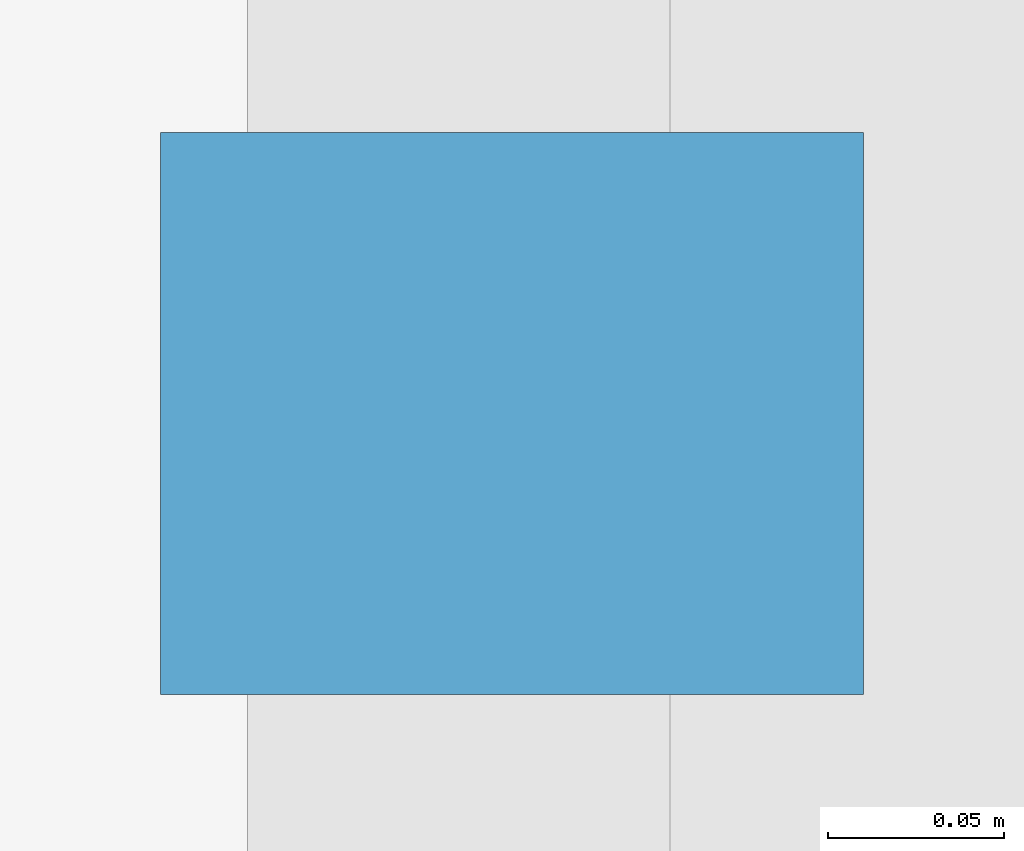
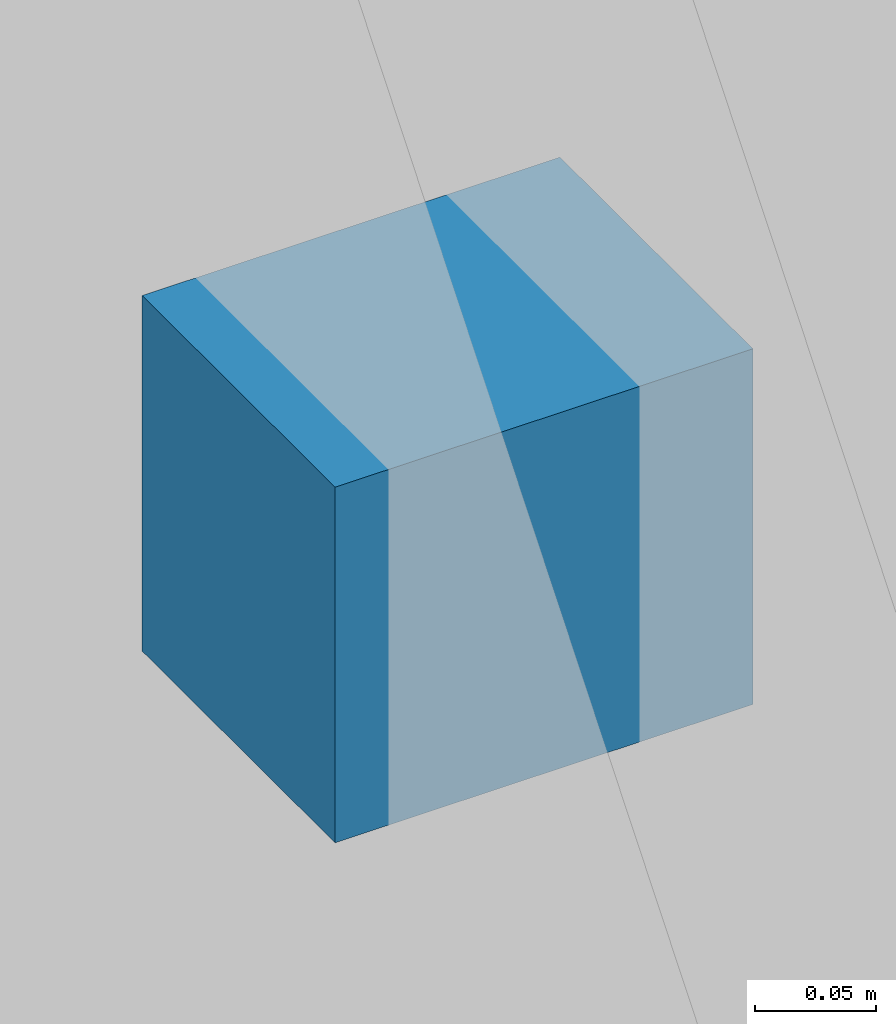
# One storey, part 12 of 17: 1 discrete accessory.
"""IFC4 building model written with IfcOpenShell, lengths in metres."""

from ifc_helpers import new_model, si_unit, direction, frame, origin, origin_2d, place, context, subcontext, project, spatial, rectangle, extrude, material, type_object, element, save


model = new_model("IFC4")

# Units and contexts
model_context = context("Model", 3, precision=1e-05, world=origin(), true_north=direction((0.0, 1.0)))
body_context = subcontext(model_context, "Body", "Model", "MODEL_VIEW")
ifc_project = project(units=[si_unit("LENGTHUNIT", "METRE"), si_unit("AREAUNIT", "SQUARE_METRE"), si_unit("VOLUMEUNIT", "CUBIC_METRE"), si_unit("PLANEANGLEUNIT", "RADIAN"), si_unit("MASSUNIT", "GRAM", prefix="KILO")], contexts=[model_context])

# Site, building, storey
site_placement = place(None, origin())
site = spatial("IfcSite", under=ifc_project, at=site_placement, CompositionType="ELEMENT")
building_placement = place(site_placement, origin())
building = spatial("IfcBuilding", under=site, at=building_placement, Name="Koriwani Terraces Tower", CompositionType="ELEMENT")
storey_placement = place(building_placement, frame((0.0, 0.0, 316.39990234375)))
storey = spatial("IfcBuildingStorey", under=building, at=storey_placement, Name="L78", CompositionType="ELEMENT", Elevation=316.39990234375)

# Discrete accessory
ifc_material = material(Name="Steel ASTM A572 Grade 50", Category="steel")
discrete_accessory_type = type_object("IfcDiscreteAccessoryType", Name="BAGUETTE_STANDOFF_BRACKET", PredefinedType="BRACKET", material=ifc_material)
discrete_accessory_placement = place(storey_placement, frame((66.81005859375, 21.0, 1.7451171875), z_axis=(0.0, 0.0, 1.0), x_axis=(0.0, -1.0, 0.0)))
element("IfcDiscreteAccessory", 1, at=discrete_accessory_placement, inside=storey, type_object=discrete_accessory_type, Name="L78 Terracotta Baguette Bracket (E_TIP-3)", PredefinedType="BRACKET", context=body_context, shape_type="SweptSolid", body=[
    extrude(rectangle(XDim=0.159912109375, YDim=0.199951171875, at=origin_2d()), origin(), (0.0, 0.0, 1.0), 0.179931640625),
])

save(model, "model.ifc")
